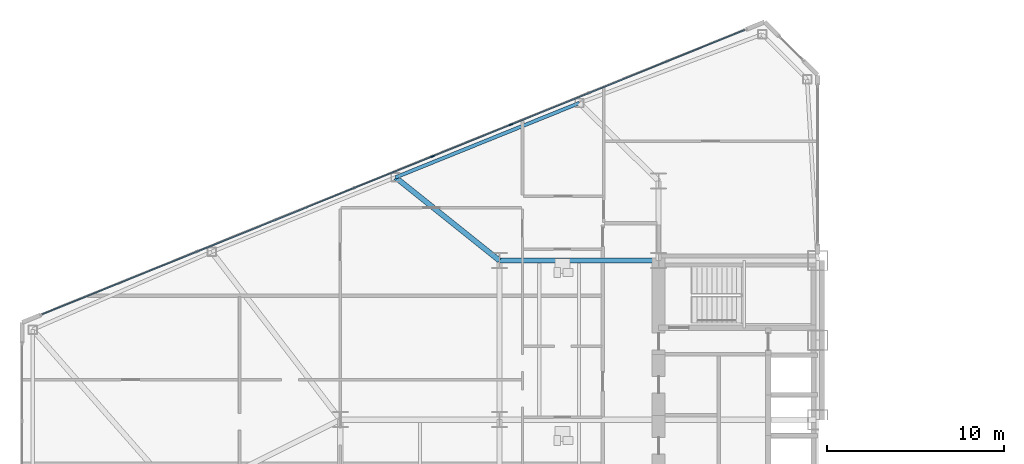
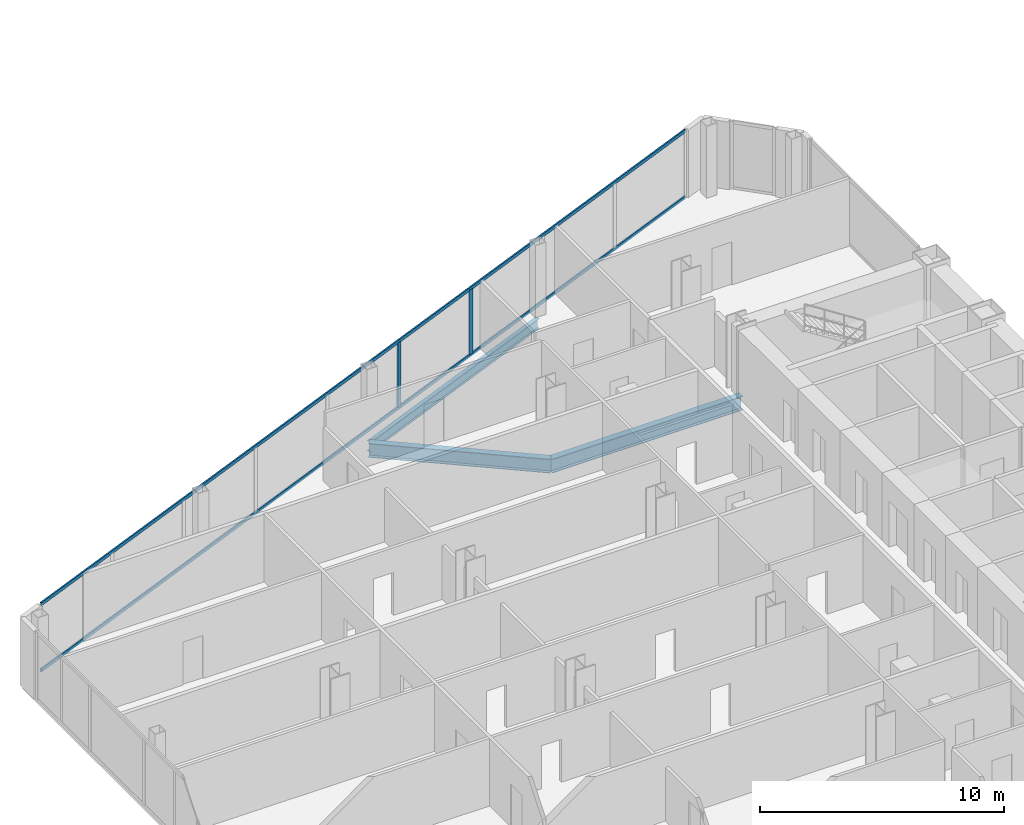
# One storey, part 7 of 25: 4 members, 3 beams, 1 element without a shape of its own.
"""IFC4 building model written with IfcOpenShell, lengths in metres."""

from ifc_helpers import new_model, si_unit, direction, frame, origin, origin_2d, place, context, subcontext, project, spatial, rectangle, i_section, extrude, source, transform, mapped, material, layer, layer_set, material_profile, profile_set, type_object, type_shapes, element, aggregate, save


model = new_model("IFC4")

# Units and contexts
model_context = context("Model", 3, precision=1e-05, world=origin(), true_north=direction((0.0, 1.0)))
body_context = subcontext(model_context, "Body", "Model", "MODEL_VIEW")
ifc_project = project(units=[si_unit("LENGTHUNIT", "METRE"), si_unit("AREAUNIT", "SQUARE_METRE"), si_unit("VOLUMEUNIT", "CUBIC_METRE"), si_unit("PLANEANGLEUNIT", "RADIAN"), si_unit("MASSUNIT", "GRAM", prefix="KILO")], contexts=[model_context])

# Site, building, storey
site_placement = place(None, origin())
site = spatial("IfcSite", under=ifc_project, at=site_placement, CompositionType="ELEMENT")
building_placement = place(site_placement, origin())
building = spatial("IfcBuilding", under=site, at=building_placement, Name="Seokmaru Belvedere", CompositionType="ELEMENT")
storey_placement = place(building_placement, frame((0.0, 0.0, 26.10009765625)))
storey = spatial("IfcBuildingStorey", under=building, at=storey_placement, Name="L06", CompositionType="ELEMENT", Elevation=26.10009765625)

# Beams
ifc_material_1 = material(Name="Steel SM355 (355 MPa)", Category="steel")
ifc_material_profile_1 = material_profile(ifc_material_1, i_section(OverallWidth=0.300048828125, OverallDepth=0.699951171875, WebThickness=0.012939453125, FlangeThickness=0.02392578125, at=origin_2d()), Name="H-700x300x13x24")
ifc_profile_set_1 = profile_set([ifc_material_profile_1], Name="Steel SM355 (355 MPa)")
beam_type_1 = type_object("IfcBeamType", Name="Primary Floor Girder H-700", PredefinedType="BEAM", material=ifc_profile_set_1)
shared_shape_1 = source(origin(), body_context, "Body", "SweptSolid", [
    extrude(i_section(OverallWidth=0.300048828125, OverallDepth=0.699951171875, WebThickness=0.012939453125, FlangeThickness=0.02392578125, at=origin_2d()), origin(), (0.0, 0.0, 1.0), 9.0),
])
beam_1_placement = place(storey_placement, frame((-45.5, 13.5, -0.570068359375), z_axis=(1.0, 0.0, 0.0), x_axis=(0.0, 1.0, 0.0)))
element("IfcBeam", 1, at=beam_1_placement, inside=storey, type_object=beam_type_1, Name="L06 W Wing Primary Girder 4", PredefinedType="BEAM", context=body_context, shape_type="MappedRepresentation", body=[
    mapped(shared_shape_1, transform((0.0, 0.0, 0.0), scale=1.0)),
])
ifc_material_profile_2 = material_profile(ifc_material_1, i_section(OverallWidth=0.199951171875, OverallDepth=0.5, WebThickness=0.010009765625, FlangeThickness=0.01611328125, at=origin_2d()), Name="H-500x200x10x16")
ifc_profile_set_2 = profile_set([ifc_material_profile_2], Name="Steel SM355 (355 MPa)")
beam_type_2 = type_object("IfcBeamType", Name="Perimeter Spandrel Beam H-500", PredefinedType="SPANDREL", material=ifc_profile_set_2)
shared_shape_2 = source(origin(), body_context, "Body", "SweptSolid", [
    extrude(i_section(OverallWidth=0.199951171875, OverallDepth=0.5, WebThickness=0.010009765625, FlangeThickness=0.01611328125, at=origin_2d()), origin(), (0.0, 0.0, 1.0), 11.220703125),
])
type_shapes(beam_type_2, [shared_shape_2])
beam_2_placement = place(storey_placement, frame((-40.977294921875, 22.4140625, -0.47021484375), z_axis=(-0.926944290816, -0.375198989503, 0.0), x_axis=(0.375198989503, -0.926944290816, 0.0)))
element("IfcBeam", 2, at=beam_2_placement, inside=storey, type_object=beam_type_2, Name="L06 W Faceted Flank Spandrel N-2", PredefinedType="SPANDREL", context=body_context, shape_type="MappedRepresentation", body=[
    mapped(shared_shape_2, transform((0.0, 0.0, 0.0), scale=1.0)),
])
shared_shape_3 = source(origin(), body_context, "Body", "SweptSolid", [
    extrude(i_section(OverallWidth=0.300048828125, OverallDepth=0.699951171875, WebThickness=0.012939453125, FlangeThickness=0.02392578125, at=origin_2d()), origin(), (0.0, 0.0, 1.0), 7.52880859375),
])
type_shapes(beam_type_1, [shared_shape_1, shared_shape_3])
beam_3_placement = place(storey_placement, frame((-51.378173828125, 18.2041015625, -0.570068359375), z_axis=(0.780767560736, -0.624821587418, 0.0), x_axis=(0.624821587418, 0.780767560736, 0.0)))
element("IfcBeam", 3, at=beam_3_placement, inside=storey, type_object=beam_type_1, Name="L06 W Flank Radial Floor Girder N-2", PredefinedType="BEAM", context=body_context, shape_type="MappedRepresentation", body=[
    mapped(shared_shape_3, transform((0.0, 0.0, 0.0), scale=1.0)),
])

# Curtain wall, members
ifc_material_2 = material(Name="Bronze Triple Insulating Glass", Category="glass")
ifc_layer = layer(ifc_material_2, 0.2099609375)
ifc_layer_set = layer_set([ifc_layer], Name="Bronze Triple Insulating Glass")
curtain_wall_type = type_object("IfcCurtainWallType", Name="Low-Rise Faceted Crystal Curtain Wall System CW-2", PredefinedType="NOTDEFINED", material=ifc_layer_set)
curtain_wall_placement = place(storey_placement, origin())
curtain_wall = element("IfcCurtainWall", 4, at=curtain_wall_placement, inside=storey, type_object=curtain_wall_type, Name="L06 Curtain Wall WF3", PredefinedType="NOTDEFINED")
ifc_material_3 = material(Name="Anodised Bronze Aluminium", Category="aluminium")
ifc_material_profile_3 = material_profile(ifc_material_3, rectangle(XDim=0.074951171875, YDim=0.2099609375, at=origin_2d()), Name="CW-M-75x210")
ifc_profile_set_3 = profile_set([ifc_material_profile_3], Name="Anodised Bronze Aluminium")
member_type_1 = type_object("IfcMemberType", Name="Bronze Unitised Mullion 75x210", PredefinedType="MULLION", material=ifc_profile_set_3)
shared_shape_4 = source(origin(), body_context, "Body", "SweptSolid", [
    extrude(rectangle(XDim=0.074951171875, YDim=0.2099609375, at=origin_2d()), origin(), (0.0, 0.0, 1.0), 3.239990234375),
])
type_shapes(member_type_1, [shared_shape_4])
member_1_placement = place(storey_placement, frame((-44.855224609375, 21.189453125, 0.06982421875), z_axis=(0.0, 0.0, 1.0), x_axis=(0.375192321888, -0.926946989637, 0.0)))
member_1 = element("IfcMember", 5, at=member_1_placement, type_object=member_type_1, Name="CW:L06:WF3 Mullion 4", PredefinedType="MULLION", context=body_context, shape_type="MappedRepresentation", body=[
    mapped(shared_shape_4, transform((0.0, 0.0, 0.0), scale=1.0)),
])
member_2_placement = place(storey_placement, frame((-49.28515625, 19.396484375, 0.06982421875), z_axis=(0.0, 0.0, 1.0), x_axis=(0.375192321888, -0.926946989637, 0.0)))
member_2 = element("IfcMember", 6, at=member_2_placement, type_object=member_type_1, Name="CW:L06:WF3 Mullion 5", PredefinedType="MULLION", context=body_context, shape_type="MappedRepresentation", body=[
    mapped(shared_shape_4, transform((0.0, 0.0, 0.0), scale=1.0)),
])
ifc_material_profile_4 = material_profile(ifc_material_3, rectangle(XDim=0.070068359375, YDim=0.1650390625, at=origin_2d()), Name="CW-T-70x165")
ifc_profile_set_4 = profile_set([ifc_material_profile_4], Name="Anodised Bronze Aluminium")
member_type_2 = type_object("IfcMemberType", Name="Bronze Unitised Transom 70x165", PredefinedType="USERDEFINED", material=ifc_profile_set_4)
shared_shape_5 = source(origin(), body_context, "Body", "SweptSolid", [
    extrude(rectangle(XDim=0.070068359375, YDim=0.1650390625, at=origin_2d()), origin(), (0.0, 0.0, 1.0), 42.860107421875),
])
type_shapes(member_type_2, [shared_shape_5])
member_3_placement = place(storey_placement, frame((-31.635498046875, 26.540283203125, 0.034912109375), z_axis=(-0.926948605599, -0.375188329481, 0.0), x_axis=(0.375188329481, -0.926948605599, 0.0)))
member_3 = element("IfcMember", 7, at=member_3_placement, type_object=member_type_2, Name="CW:L06:WF3 Continuous Transom 1", ObjectType="TRANSOM", PredefinedType="USERDEFINED", context=body_context, shape_type="MappedRepresentation", body=[
    mapped(shared_shape_5, transform((0.0, 0.0, 0.0), scale=1.0)),
])
member_4_placement = place(storey_placement, frame((-31.635498046875, 26.540283203125, 3.344970703125), z_axis=(-0.926948605599, -0.375188329481, 0.0), x_axis=(0.375188329481, -0.926948605599, 0.0)))
member_4 = element("IfcMember", 8, at=member_4_placement, type_object=member_type_2, Name="CW:L06:WF3 Continuous Transom 2", ObjectType="TRANSOM", PredefinedType="USERDEFINED", context=body_context, shape_type="MappedRepresentation", body=[
    mapped(shared_shape_5, transform((0.0, 0.0, 0.0), scale=1.0)),
])
aggregate(curtain_wall, [member_1, member_2, member_3, member_4])

save(model, "model.ifc")
